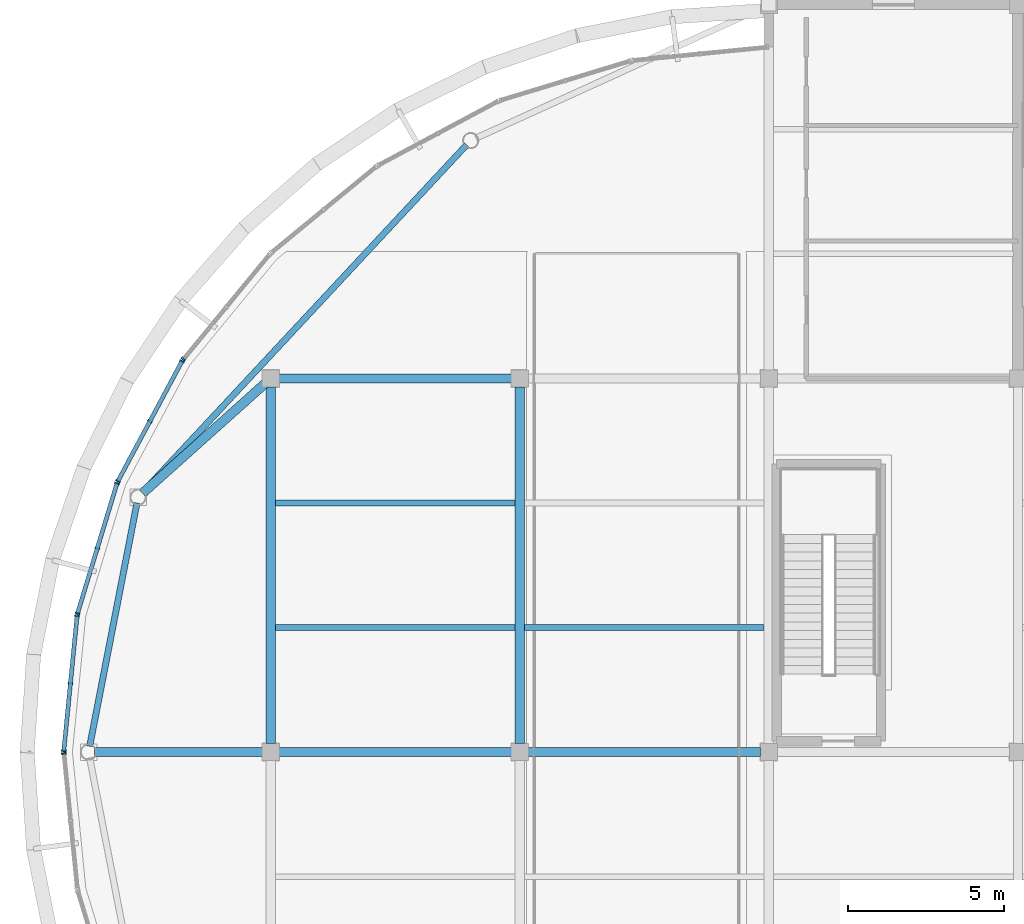
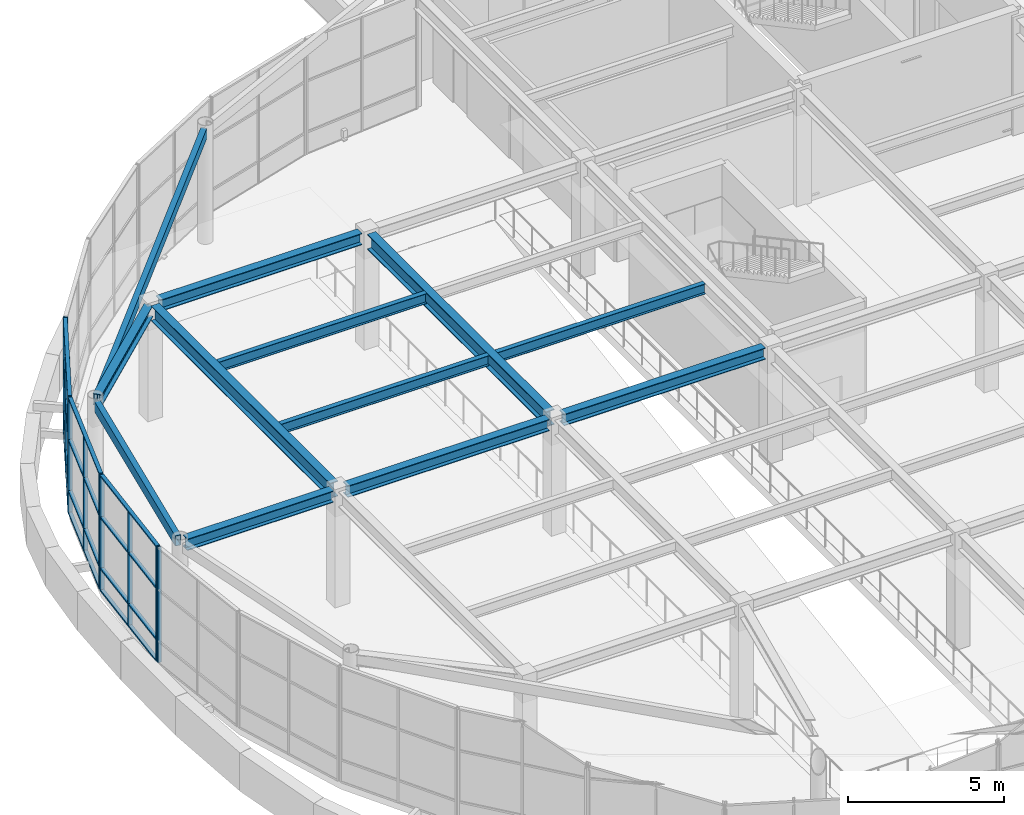
# One storey, part 18 of 72: 23 members, 12 beams, 5 elements without a shape of their own.
"""IFC4 building model written with IfcOpenShell, lengths in metres."""

from ifc_helpers import new_model, si_unit, direction, frame, origin, origin_2d, place, context, subcontext, project, spatial, rectangle, hollow_rectangle, i_section, extrude, material, layer, layer_set, material_profile, profile_set, type_object, element, aggregate, save


model = new_model("IFC4")

# Units and contexts
model_context = context("Model", 3, precision=1e-05, world=origin(), true_north=direction((0.0, 1.0)))
body_context = subcontext(model_context, "Body", "Model", "MODEL_VIEW")
ifc_project = project(units=[si_unit("LENGTHUNIT", "METRE"), si_unit("AREAUNIT", "SQUARE_METRE"), si_unit("VOLUMEUNIT", "CUBIC_METRE"), si_unit("PLANEANGLEUNIT", "RADIAN"), si_unit("MASSUNIT", "GRAM", prefix="KILO")], contexts=[model_context])

# Site, building, storey
site_placement = place(None, origin())
site = spatial("IfcSite", under=ifc_project, at=site_placement, CompositionType="ELEMENT")
building_placement = place(site_placement, origin())
building = spatial("IfcBuilding", under=site, at=building_placement, Name="Keelwater Ferry Terminal", CompositionType="ELEMENT")
storey_placement = place(building_placement, frame((0.0, 0.0, 5.39990234375)))
storey = spatial("IfcBuildingStorey", under=building, at=storey_placement, Name="L01", CompositionType="ELEMENT", Elevation=5.39990234375)

# Curtain wall, member
ifc_material_1 = material(Name="Thermally broken unitised aluminium and triple glass", Category="aluminium")
ifc_layer = layer(ifc_material_1, 0.179931640625)
ifc_layer_set = layer_set([ifc_layer], Name="Thermally broken unitised aluminium and triple glass")
curtain_wall_type = type_object("IfcCurtainWallType", Name="CW-18 Unitised Curtain Wall 4350x4480", PredefinedType="USERDEFINED", material=ifc_layer_set)
curtain_wall_1_placement = place(storey_placement, origin())
curtain_wall_1 = element("IfcCurtainWall", 1, at=curtain_wall_1_placement, inside=storey, type_object=curtain_wall_type, Name="Unitised Curtain Wall CW-L01-113", ObjectType="UNITISED CURTAIN WALL", PredefinedType="USERDEFINED")
ifc_material_2 = material(Name="Aluminium mullion", Category="aluminium")
ifc_material_profile_1 = material_profile(ifc_material_2, rectangle(XDim=0.06005859375, YDim=0.14990234375, at=origin_2d()), Name="CWM-03")
ifc_profile_set_1 = profile_set([ifc_material_profile_1], Name="Aluminium mullion")
member_type_1 = type_object("IfcMemberType", Name="CWM-03 Curtain Mullion 60x150", PredefinedType="MULLION", material=ifc_profile_set_1)
member_1_placement = place(storey_placement, frame((5.196044921875, 78.618896484375, 0.0), z_axis=(0.0, 0.0, 1.0), x_axis=(-0.634376508991, -0.773024220086, 0.0)))
member_1 = element("IfcMember", 2, at=member_1_placement, type_object=member_type_1, Name="CW-L01-113 Mullion 3", PredefinedType="MULLION", context=body_context, shape_type="SweptSolid", body=[
    extrude(rectangle(XDim=0.06005859375, YDim=0.14990234375, at=origin_2d()), origin(), (0.0, 0.0, 1.0), 4.47998046875),
])
aggregate(curtain_wall_1, [member_1])

# Curtain wall, members
curtain_wall_2_placement = place(storey_placement, origin())
curtain_wall_2 = element("IfcCurtainWall", 3, at=curtain_wall_2_placement, inside=storey, type_object=curtain_wall_type, Name="Unitised Curtain Wall CW-L01-114", ObjectType="UNITISED CURTAIN WALL", PredefinedType="USERDEFINED")
member_2_placement = place(storey_placement, frame((5.14599609375, 78.5439453125, 0.0), z_axis=(0.0, 0.0, 1.0), x_axis=(-0.471506749303, -0.881862452632, 0.0)))
member_2 = element("IfcMember", 4, at=member_2_placement, type_object=member_type_1, Name="CW-L01-114 Mullion 1", PredefinedType="MULLION", context=body_context, shape_type="SweptSolid", body=[
    extrude(rectangle(XDim=0.06005859375, YDim=0.14990234375, at=origin_2d()), origin(), (0.0, 0.0, 1.0), 4.47998046875),
])
member_3_placement = place(storey_placement, frame((4.12060546875, 76.6259765625, 0.0), z_axis=(0.0, 0.0, 1.0), x_axis=(-0.471506749303, -0.881862452632, 0.0)))
member_3 = element("IfcMember", 5, at=member_3_placement, type_object=member_type_1, Name="CW-L01-114 Mullion 2", PredefinedType="MULLION", context=body_context, shape_type="SweptSolid", body=[
    extrude(rectangle(XDim=0.06005859375, YDim=0.14990234375, at=origin_2d()), origin(), (0.0, 0.0, 1.0), 4.47998046875),
])
member_4_placement = place(storey_placement, frame((3.094970703125, 74.7080078125, 0.0), z_axis=(0.0, 0.0, 1.0), x_axis=(-0.471506749303, -0.881862452632, 0.0)))
member_4 = element("IfcMember", 6, at=member_4_placement, type_object=member_type_1, Name="CW-L01-114 Mullion 3", PredefinedType="MULLION", context=body_context, shape_type="SweptSolid", body=[
    extrude(rectangle(XDim=0.06005859375, YDim=0.14990234375, at=origin_2d()), origin(), (0.0, 0.0, 1.0), 4.47998046875),
])

curtain_wall_3_placement = place(storey_placement, origin())
curtain_wall_3 = element("IfcCurtainWall", 7, at=curtain_wall_3_placement, inside=storey, type_object=curtain_wall_type, Name="Unitised Curtain Wall CW-L01-115", ObjectType="UNITISED CURTAIN WALL", PredefinedType="USERDEFINED")
member_5_placement = place(storey_placement, frame((3.06103515625, 74.625, 0.0), z_axis=(0.0, 0.0, 1.0), x_axis=(-0.290319989003, -0.956929623319, 0.0)))
member_5 = element("IfcMember", 8, at=member_5_placement, type_object=member_type_1, Name="CW-L01-115 Mullion 1", PredefinedType="MULLION", context=body_context, shape_type="SweptSolid", body=[
    extrude(rectangle(XDim=0.06005859375, YDim=0.14990234375, at=origin_2d()), origin(), (0.0, 0.0, 1.0), 4.47998046875),
])
member_6_placement = place(storey_placement, frame((2.429443359375, 72.54345703125, 0.0), z_axis=(0.0, 0.0, 1.0), x_axis=(-0.290319989003, -0.956929623319, 0.0)))
member_6 = element("IfcMember", 9, at=member_6_placement, type_object=member_type_1, Name="CW-L01-115 Mullion 2", PredefinedType="MULLION", context=body_context, shape_type="SweptSolid", body=[
    extrude(rectangle(XDim=0.06005859375, YDim=0.14990234375, at=origin_2d()), origin(), (0.0, 0.0, 1.0), 4.47998046875),
])
member_7_placement = place(storey_placement, frame((1.798095703125, 70.4619140625, 0.0), z_axis=(0.0, 0.0, 1.0), x_axis=(-0.290319989003, -0.956929623319, 0.0)))
member_7 = element("IfcMember", 10, at=member_7_placement, type_object=member_type_1, Name="CW-L01-115 Mullion 3", PredefinedType="MULLION", context=body_context, shape_type="SweptSolid", body=[
    extrude(rectangle(XDim=0.06005859375, YDim=0.14990234375, at=origin_2d()), origin(), (0.0, 0.0, 1.0), 4.47998046875),
])

curtain_wall_4_placement = place(storey_placement, origin())
curtain_wall_4 = element("IfcCurtainWall", 11, at=curtain_wall_4_placement, inside=storey, type_object=curtain_wall_type, Name="Unitised Curtain Wall CW-L01-116", ObjectType="UNITISED CURTAIN WALL", PredefinedType="USERDEFINED")
member_8_placement = place(storey_placement, frame((1.781005859375, 70.3740234375, 0.0), z_axis=(0.0, 0.0, 1.0), x_axis=(-0.098160737969, -0.995170573079, 0.0)))
member_8 = element("IfcMember", 12, at=member_8_placement, type_object=member_type_1, Name="CW-L01-116 Mullion 1", PredefinedType="MULLION", context=body_context, shape_type="SweptSolid", body=[
    extrude(rectangle(XDim=0.06005859375, YDim=0.14990234375, at=origin_2d()), origin(), (0.0, 0.0, 1.0), 4.47998046875),
])
member_9_placement = place(storey_placement, frame((1.5673828125, 68.20947265625, 0.0), z_axis=(0.0, 0.0, 1.0), x_axis=(-0.098160737969, -0.995170573079, 0.0)))
member_9 = element("IfcMember", 13, at=member_9_placement, type_object=member_type_1, Name="CW-L01-116 Mullion 2", PredefinedType="MULLION", context=body_context, shape_type="SweptSolid", body=[
    extrude(rectangle(XDim=0.06005859375, YDim=0.14990234375, at=origin_2d()), origin(), (0.0, 0.0, 1.0), 4.47998046875),
])
member_10_placement = place(storey_placement, frame((1.35400390625, 66.044921875, 0.0), z_axis=(0.0, 0.0, 1.0), x_axis=(-0.098160737969, -0.995170573079, 0.0)))
member_10 = element("IfcMember", 14, at=member_10_placement, type_object=member_type_1, Name="CW-L01-116 Mullion 3", PredefinedType="MULLION", context=body_context, shape_type="SweptSolid", body=[
    extrude(rectangle(XDim=0.06005859375, YDim=0.14990234375, at=origin_2d()), origin(), (0.0, 0.0, 1.0), 4.47998046875),
])

# Curtain wall, member
curtain_wall_5_placement = place(storey_placement, origin())
curtain_wall_5 = element("IfcCurtainWall", 15, at=curtain_wall_5_placement, inside=storey, type_object=curtain_wall_type, Name="Unitised Curtain Wall CW-L01-117", ObjectType="UNITISED CURTAIN WALL", PredefinedType="USERDEFINED")
member_11_placement = place(storey_placement, frame((1.35400390625, 65.955078125, 0.0), z_axis=(0.0, 0.0, 1.0), x_axis=(0.098160737969, -0.995170573079, 0.0)))
member_11 = element("IfcMember", 16, at=member_11_placement, type_object=member_type_1, Name="CW-L01-117 Mullion 1", PredefinedType="MULLION", context=body_context, shape_type="SweptSolid", body=[
    extrude(rectangle(XDim=0.06005859375, YDim=0.14990234375, at=origin_2d()), origin(), (0.0, 0.0, 1.0), 4.47998046875),
])
aggregate(curtain_wall_5, [member_11])

# Member
ifc_material_3 = material(Name="Aluminium mullion", Category="aluminium")
ifc_material_profile_2 = material_profile(ifc_material_3, rectangle(XDim=0.135009765625, YDim=0.06005859375, at=origin_2d()), Name="CWT-03")
ifc_profile_set_2 = profile_set([ifc_material_profile_2], Name="Aluminium mullion")
member_type_2 = type_object("IfcMemberType", Name="CWT-03 Curtain Transom 60x135", PredefinedType="USERDEFINED", material=ifc_profile_set_2)
member_12_placement = place(storey_placement, frame((5.14599609375, 78.5439453125, 0.0), z_axis=(-0.471517263122, -0.881856831112, 0.0), x_axis=(0.881856831112, -0.471517263122, 0.0)))
member_12 = element("IfcMember", 17, at=member_12_placement, type_object=member_type_2, Name="CW-L01-114 Transom 1", ObjectType="TRANSOM", PredefinedType="USERDEFINED", context=body_context, shape_type="SweptSolid", body=[
    extrude(rectangle(XDim=0.135009765625, YDim=0.06005859375, at=origin_2d()), origin(), (0.0, 0.0, 1.0), 4.349853515625),
])

member_13_placement = place(storey_placement, frame((5.14599609375, 78.5439453125, 0.85009765625), z_axis=(-0.471517263122, -0.881856831112, 0.0), x_axis=(0.881856831112, -0.471517263122, 0.0)))
member_13 = element("IfcMember", 18, at=member_13_placement, type_object=member_type_2, Name="CW-L01-114 Transom 2", ObjectType="TRANSOM", PredefinedType="USERDEFINED", context=body_context, shape_type="SweptSolid", body=[
    extrude(rectangle(XDim=0.135009765625, YDim=0.06005859375, at=origin_2d()), origin(), (0.0, 0.0, 1.0), 4.349853515625),
])

member_14_placement = place(storey_placement, frame((5.14599609375, 78.5439453125, 2.85009765625), z_axis=(-0.471517263122, -0.881856831112, 0.0), x_axis=(0.881856831112, -0.471517263122, 0.0)))
member_14 = element("IfcMember", 19, at=member_14_placement, type_object=member_type_2, Name="CW-L01-114 Transom 3", ObjectType="TRANSOM", PredefinedType="USERDEFINED", context=body_context, shape_type="SweptSolid", body=[
    extrude(rectangle(XDim=0.135009765625, YDim=0.06005859375, at=origin_2d()), origin(), (0.0, 0.0, 1.0), 4.349853515625),
])

member_15_placement = place(storey_placement, frame((5.14599609375, 78.5439453125, 4.47998046875), z_axis=(-0.471517263122, -0.881856831112, 0.0), x_axis=(0.881856831112, -0.471517263122, 0.0)))
member_15 = element("IfcMember", 20, at=member_15_placement, type_object=member_type_2, Name="CW-L01-114 Transom 4", ObjectType="TRANSOM", PredefinedType="USERDEFINED", context=body_context, shape_type="SweptSolid", body=[
    extrude(rectangle(XDim=0.135009765625, YDim=0.06005859375, at=origin_2d()), origin(), (0.0, 0.0, 1.0), 4.349853515625),
])

aggregate(curtain_wall_2, [member_2, member_3, member_4, member_12, member_13, member_14, member_15])

member_16_placement = place(storey_placement, frame((3.06103515625, 74.625, 0.0), z_axis=(-0.290301756665, -0.956935154583, 0.0), x_axis=(0.956935154583, -0.290301756665, 0.0)))
member_16 = element("IfcMember", 21, at=member_16_placement, type_object=member_type_2, Name="CW-L01-115 Transom 1", ObjectType="TRANSOM", PredefinedType="USERDEFINED", context=body_context, shape_type="SweptSolid", body=[
    extrude(rectangle(XDim=0.135009765625, YDim=0.06005859375, at=origin_2d()), origin(), (0.0, 0.0, 1.0), 4.350341796875),
])

member_17_placement = place(storey_placement, frame((3.06103515625, 74.625, 0.85009765625), z_axis=(-0.290301756665, -0.956935154583, 0.0), x_axis=(0.956935154583, -0.290301756665, 0.0)))
member_17 = element("IfcMember", 22, at=member_17_placement, type_object=member_type_2, Name="CW-L01-115 Transom 2", ObjectType="TRANSOM", PredefinedType="USERDEFINED", context=body_context, shape_type="SweptSolid", body=[
    extrude(rectangle(XDim=0.135009765625, YDim=0.06005859375, at=origin_2d()), origin(), (0.0, 0.0, 1.0), 4.350341796875),
])

member_18_placement = place(storey_placement, frame((3.06103515625, 74.625, 2.85009765625), z_axis=(-0.290301756665, -0.956935154583, 0.0), x_axis=(0.956935154583, -0.290301756665, 0.0)))
member_18 = element("IfcMember", 23, at=member_18_placement, type_object=member_type_2, Name="CW-L01-115 Transom 3", ObjectType="TRANSOM", PredefinedType="USERDEFINED", context=body_context, shape_type="SweptSolid", body=[
    extrude(rectangle(XDim=0.135009765625, YDim=0.06005859375, at=origin_2d()), origin(), (0.0, 0.0, 1.0), 4.350341796875),
])

member_19_placement = place(storey_placement, frame((3.06103515625, 74.625, 4.47998046875), z_axis=(-0.290301756665, -0.956935154583, 0.0), x_axis=(0.956935154583, -0.290301756665, 0.0)))
member_19 = element("IfcMember", 24, at=member_19_placement, type_object=member_type_2, Name="CW-L01-115 Transom 4", ObjectType="TRANSOM", PredefinedType="USERDEFINED", context=body_context, shape_type="SweptSolid", body=[
    extrude(rectangle(XDim=0.135009765625, YDim=0.06005859375, at=origin_2d()), origin(), (0.0, 0.0, 1.0), 4.350341796875),
])

aggregate(curtain_wall_3, [member_5, member_6, member_7, member_16, member_17, member_18, member_19])

member_20_placement = place(storey_placement, frame((1.781005859375, 70.3740234375, 0.0), z_axis=(-0.098158901932, -0.995170754178, 0.0), x_axis=(0.995170754178, -0.098158901932, 0.0)))
member_20 = element("IfcMember", 25, at=member_20_placement, type_object=member_type_2, Name="CW-L01-116 Transom 1", ObjectType="TRANSOM", PredefinedType="USERDEFINED", context=body_context, shape_type="SweptSolid", body=[
    extrude(rectangle(XDim=0.135009765625, YDim=0.06005859375, at=origin_2d()), origin(), (0.0, 0.0, 1.0), 4.35009765625),
])

member_21_placement = place(storey_placement, frame((1.781005859375, 70.3740234375, 0.85009765625), z_axis=(-0.098158901932, -0.995170754178, 0.0), x_axis=(0.995170754178, -0.098158901932, 0.0)))
member_21 = element("IfcMember", 26, at=member_21_placement, type_object=member_type_2, Name="CW-L01-116 Transom 2", ObjectType="TRANSOM", PredefinedType="USERDEFINED", context=body_context, shape_type="SweptSolid", body=[
    extrude(rectangle(XDim=0.135009765625, YDim=0.06005859375, at=origin_2d()), origin(), (0.0, 0.0, 1.0), 4.35009765625),
])

member_22_placement = place(storey_placement, frame((1.781005859375, 70.3740234375, 2.85009765625), z_axis=(-0.098158901932, -0.995170754178, 0.0), x_axis=(0.995170754178, -0.098158901932, 0.0)))
member_22 = element("IfcMember", 27, at=member_22_placement, type_object=member_type_2, Name="CW-L01-116 Transom 3", ObjectType="TRANSOM", PredefinedType="USERDEFINED", context=body_context, shape_type="SweptSolid", body=[
    extrude(rectangle(XDim=0.135009765625, YDim=0.06005859375, at=origin_2d()), origin(), (0.0, 0.0, 1.0), 4.35009765625),
])

member_23_placement = place(storey_placement, frame((1.781005859375, 70.3740234375, 4.47998046875), z_axis=(-0.098158901932, -0.995170754178, 0.0), x_axis=(0.995170754178, -0.098158901932, 0.0)))
member_23 = element("IfcMember", 28, at=member_23_placement, type_object=member_type_2, Name="CW-L01-116 Transom 4", ObjectType="TRANSOM", PredefinedType="USERDEFINED", context=body_context, shape_type="SweptSolid", body=[
    extrude(rectangle(XDim=0.135009765625, YDim=0.06005859375, at=origin_2d()), origin(), (0.0, 0.0, 1.0), 4.35009765625),
])

aggregate(curtain_wall_4, [member_8, member_9, member_10, member_20, member_21, member_22, member_23])

# Beams
ifc_material_4 = material(Name="Steel S355", Category="steel")
ifc_material_profile_3 = material_profile(ifc_material_4, i_section(OverallWidth=0.300048828125, OverallDepth=0.60009765625, WebThickness=0.015380859375, FlangeThickness=0.030029296875, at=origin_2d()), Name="HEB 600")
ifc_profile_set_3 = profile_set([ifc_material_profile_3], Name="Steel S355")
beam_type_1 = type_object("IfcBeamType", Name="G3E HEB 600", PredefinedType="BEAM", material=ifc_profile_set_3)
for number, where, z_axis, x_axis, name in (
    (29, (8.0, 66.27001953125, 4.22021484375), (0.0, 1.0, 0.0), (-1.0, 0.0, 0.0), "Beam BM-L01-0712"),
    (30, (16.0, 66.27001953125, 4.22021484375), (0.0, 1.0, 0.0), (-1.0, 0.0, 0.0), "Beam BM-L01-0714"),
):
    element("IfcBeam", number, at=place(storey_placement, frame(where, z_axis=z_axis, x_axis=x_axis)), inside=storey, type_object=beam_type_1, Name=name, PredefinedType="BEAM", context=body_context, shape_type="SweptSolid", body=[
        extrude(i_section(OverallWidth=0.300048828125, OverallDepth=0.60009765625, WebThickness=0.015380859375, FlangeThickness=0.030029296875, at=origin_2d()), origin(), (0.0, 0.0, 1.0), 11.4599609375),
    ])
ifc_material_5 = material(Name="Steel S355", Category="steel")
ifc_material_profile_4 = material_profile(ifc_material_5, i_section(OverallWidth=0.300048828125, OverallDepth=0.449951171875, WebThickness=0.013916015625, FlangeThickness=0.02587890625, at=origin_2d()), Name="HEB 450")
ifc_profile_set_4 = profile_set([ifc_material_profile_4], Name="Steel S355")
beam_type_2 = type_object("IfcBeamType", Name="G6 HEB 450", PredefinedType="BEAM", material=ifc_profile_set_4)
for number, where, z_axis, x_axis, name in (
    (31, (8.27001953125, 66.0, 4.295166015625), (1.0, 0.0, 0.0), (0.0, 1.0, 0.0), "Beam BM-L01-0646"),
    (32, (16.27001953125, 66.0, 4.295166015625), (1.0, 0.0, 0.0), (0.0, 1.0, 0.0), "Beam BM-L01-0647"),
    (33, (8.27001953125, 78.0, 4.295166015625), (1.0, 0.0, 0.0), (0.0, 1.0, 0.0), "Beam BM-L01-0657"),
):
    element("IfcBeam", number, at=place(storey_placement, frame(where, z_axis=z_axis, x_axis=x_axis)), inside=storey, type_object=beam_type_2, Name=name, PredefinedType="BEAM", context=body_context, shape_type="SweptSolid", body=[
        extrude(i_section(OverallWidth=0.300048828125, OverallDepth=0.449951171875, WebThickness=0.013916015625, FlangeThickness=0.02587890625, at=origin_2d()), origin(), (0.0, 0.0, 1.0), 7.4599609375),
    ])
beam_1_placement = place(storey_placement, frame((3.883056640625, 74.31201171875, 4.295166015625), z_axis=(0.74488982883, 0.667187487072, 0.0), x_axis=(-0.667187487072, 0.74488982883, 0.0)))
element("IfcBeam", 34, at=beam_1_placement, inside=storey, type_object=beam_type_2, Name="Beam BM-L01-0968", PredefinedType="BEAM", context=body_context, shape_type="SweptSolid", body=[
    extrude(i_section(OverallWidth=0.300048828125, OverallDepth=0.449951171875, WebThickness=0.013916015625, FlangeThickness=0.02587890625, at=origin_2d()), origin(), (0.0, 0.0, 1.0), 5.2880859375),
])
beam_2_placement = place(storey_placement, frame((2.340087890625, 66.0, 4.295166015625), z_axis=(1.0, 0.0, 0.0), x_axis=(0.0, 1.0, 0.0)))
element("IfcBeam", 35, at=beam_2_placement, inside=storey, type_object=beam_type_2, Name="Beam BM-L01-0969", PredefinedType="BEAM", context=body_context, shape_type="SweptSolid", body=[
    extrude(i_section(OverallWidth=0.300048828125, OverallDepth=0.449951171875, WebThickness=0.013916015625, FlangeThickness=0.02587890625, at=origin_2d()), origin(), (0.0, 0.0, 1.0), 5.419921875),
])
ifc_material_6 = material(Name="Steel S355", Category="steel")
ifc_material_profile_5 = material_profile(ifc_material_6, i_section(OverallWidth=0.179931640625, OverallDepth=0.39990234375, WebThickness=0.008544921875, FlangeThickness=0.013427734375, at=origin_2d()), Name="IPE 400")
ifc_profile_set_5 = profile_set([ifc_material_profile_5], Name="Steel S355")
beam_type_3 = type_object("IfcBeamType", Name="J5 IPE 400", PredefinedType="JOIST", material=ifc_profile_set_5)
for number, where, z_axis, x_axis, name in (
    (36, (8.14990234375, 70.0, 4.320068359375), (1.0, 0.0, 0.0), (0.0, 1.0, 0.0), "Beam BM-L01-0813"),
    (37, (8.14990234375, 74.0, 4.320068359375), (1.0, 0.0, 0.0), (0.0, 1.0, 0.0), "Beam BM-L01-0814"),
    (38, (16.14990234375, 70.0, 4.320068359375), (1.0, 0.0, 0.0), (0.0, 1.0, 0.0), "Beam BM-L01-0817"),
):
    element("IfcBeam", number, at=place(storey_placement, frame(where, z_axis=z_axis, x_axis=x_axis)), inside=storey, type_object=beam_type_3, Name=name, PredefinedType="JOIST", context=body_context, shape_type="SweptSolid", body=[
        extrude(i_section(OverallWidth=0.179931640625, OverallDepth=0.39990234375, WebThickness=0.008544921875, FlangeThickness=0.013427734375, at=origin_2d()), origin(), (0.0, 0.0, 1.0), 7.7001953125),
    ])
ifc_material_7 = material(Name="Steel S355", Category="steel")
ifc_material_profile_6 = material_profile(ifc_material_7, hollow_rectangle(XDim=0.199951171875, YDim=0.39990234375, WallThickness=0.01611328125, at=origin_2d()), Name="RHS 400x200x16")
ifc_profile_set_6 = profile_set([ifc_material_profile_6], Name="Steel S355")
beam_type_4 = type_object("IfcBeamType", Name="SP3E RHS 400x200x16", PredefinedType="SPANDREL", material=ifc_profile_set_6)
beam_3_placement = place(storey_placement, frame((14.2919921875, 85.5, 4.320068359375), z_axis=(-0.681966371638, -0.731383529999, 0.0), x_axis=(0.731383529999, -0.681966371638, 0.0)))
element("IfcBeam", 39, at=beam_3_placement, inside=storey, type_object=beam_type_4, Name="Beam BM-L01-0963", PredefinedType="SPANDREL", context=body_context, shape_type="SweptSolid", body=[
    extrude(hollow_rectangle(XDim=0.199951171875, YDim=0.39990234375, WallThickness=0.01611328125, at=origin_2d()), origin(), (0.0, 0.0, 1.0), 15.28076171875),
])
beam_4_placement = place(storey_placement, frame((3.705078125, 73.998046875, 4.320068359375), z_axis=(-0.190897579934, -0.981609960206, 0.0), x_axis=(0.981609960206, -0.190897579934, 0.0)))
element("IfcBeam", 40, at=beam_4_placement, inside=storey, type_object=beam_type_4, Name="Beam BM-L01-0964", PredefinedType="SPANDREL", context=body_context, shape_type="SweptSolid", body=[
    extrude(hollow_rectangle(XDim=0.199951171875, YDim=0.39990234375, WallThickness=0.01611328125, at=origin_2d()), origin(), (0.0, 0.0, 1.0), 7.957275390625),
])

save(model, "model.ifc")
